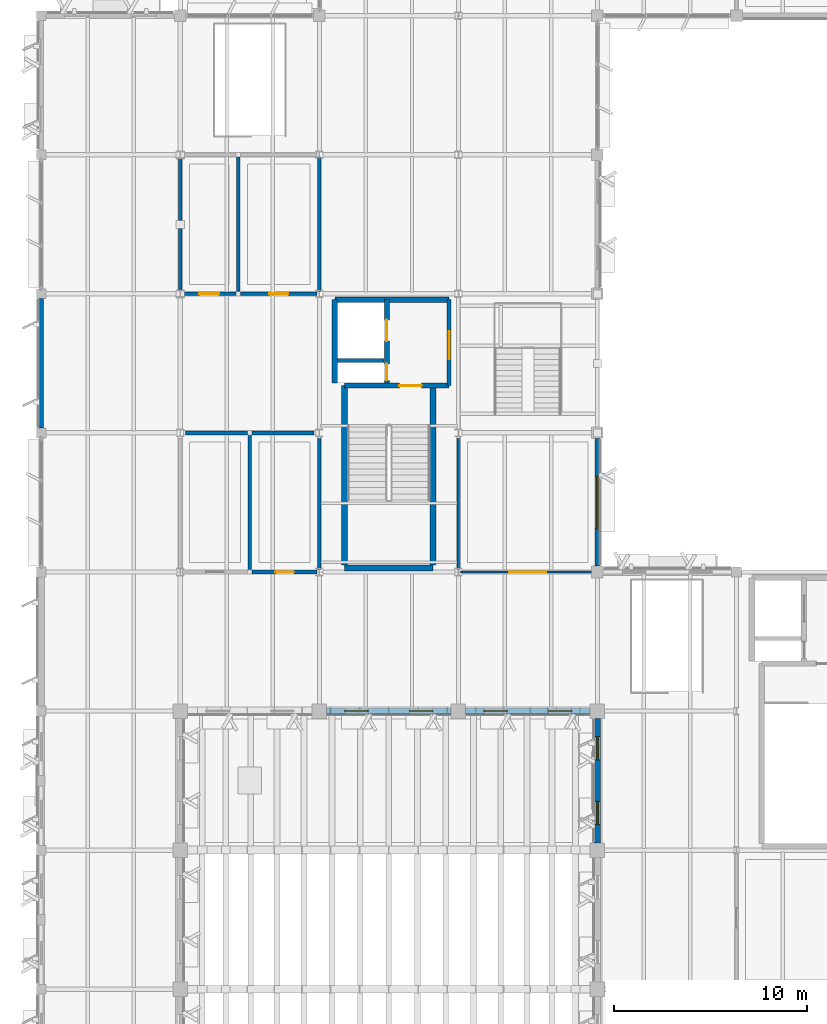
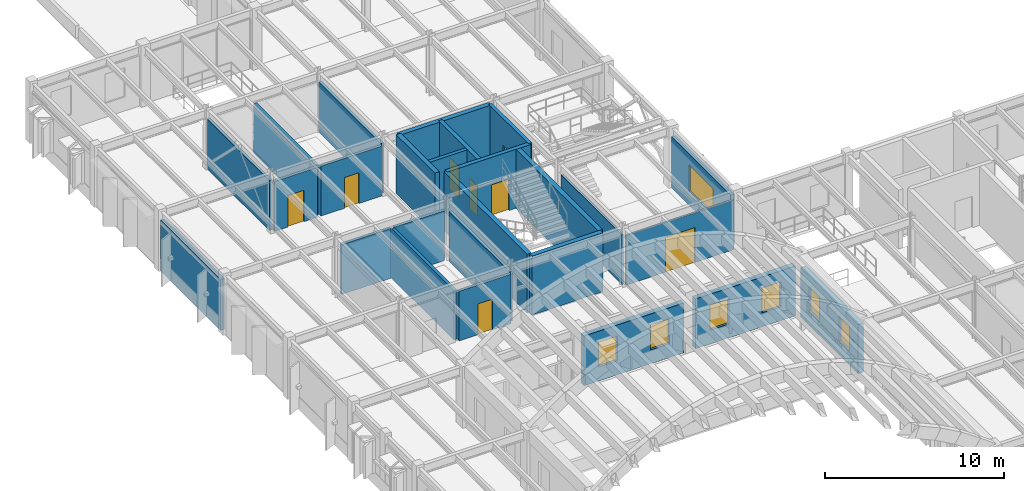
# One storey, part 33 of 85: 26 walls, 8 doors, 7 windows, 15 openings.
"""IFC4 building model written with IfcOpenShell, lengths in metres."""

import ifcopenshell
import ifcopenshell.guid

model = None  # the IFC model being written
_history = None  # IfcOwnerHistory: only IFC2X3 demands one
_inside = {}  # id of a spatial element -> (the spatial element, [elements in it])
_under = {}  # id of a project, library or spatial element -> (it, [spatial elements below it])
_declared = {}  # id of a project -> (the project, [libraries it declares])
_typed = {}  # id of a type object -> (the type object, [elements of that type])
_made_of = {}  # id of a material, layer set ... -> (it, [elements and type objects made of it])


def new_model(schema):
    """Start an empty IFC model of exactly this schema.

    Asked for "IFC4X3", IfcOpenShell would pick the latest addendum, in which some entities
    have other attributes; the version numbers below select the first issue.
    IFC2X3 requires an IfcOwnerHistory on every rooted entity: one is made here for all.
    """
    global model, _history
    if schema == "IFC4X3":
        model = ifcopenshell.file(schema_version=(4, 3, 0, 0))
    else:
        model = ifcopenshell.file(schema=schema)
    _inside.clear()
    _under.clear()
    _declared.clear()
    _typed.clear()
    _made_of.clear()
    _history = None
    if model.schema == "IFC2X3":
        org = make("IfcOrganization", Name="unknown")
        user = make(
            "IfcPersonAndOrganization",
            ThePerson=make("IfcPerson", FamilyName="unknown"),
            TheOrganization=org,
        )
        app = make(
            "IfcApplication",
            ApplicationDeveloper=org,
            Version="unknown",
            ApplicationFullName="unknown",
            ApplicationIdentifier="unknown",
        )
        _history = make(
            "IfcOwnerHistory",
            OwningUser=user,
            OwningApplication=app,
            ChangeAction="ADDED",
            CreationDate=0,
        )
    return model


def make(cls, **values):
    """One entity of the class cls with the attributes given. An attribute that is None is left unset."""
    return model.create_entity(
        cls, **{name: value for name, value in values.items() if value is not None}
    )


def rooted(cls, **values):
    """An entity with a GlobalId (a new one), such as an element, a storey or a relation."""
    return make(cls, GlobalId=ifcopenshell.guid.new(), OwnerHistory=_history, **values)


def si_unit(unit_type, name, prefix=None):
    """IfcSIUnit, for example si_unit("LENGTHUNIT", "METRE", prefix="MILLI")."""
    return make("IfcSIUnit", UnitType=unit_type, Prefix=prefix, Name=name)


def assignment(units):
    """IfcUnitAssignment: the units of a project."""
    return None if units is None else make("IfcUnitAssignment", Units=units)


def point(xyz):
    """IfcCartesianPoint."""
    return None if xyz is None else make("IfcCartesianPoint", Coordinates=xyz)


def direction(xyz):
    """IfcDirection."""
    return None if xyz is None else make("IfcDirection", DirectionRatios=xyz)


def frame(location, z_axis=None, x_axis=None):
    """IfcAxis2Placement3D, a coordinate frame: its origin and axes. An axis left out is left unset."""
    return make(
        "IfcAxis2Placement3D",
        Location=point(location),
        Axis=direction(z_axis),
        RefDirection=direction(x_axis),
    )


def frame_2d(location, x_axis=None):
    """IfcAxis2Placement2D, a coordinate frame in the plane: its origin and x axis."""
    return make(
        "IfcAxis2Placement2D", Location=point(location), RefDirection=direction(x_axis)
    )


def origin():
    """The frame at (0, 0, 0) with its axes left unset."""
    return frame((0.0, 0.0, 0.0))


def place(relative_to, where):
    """IfcLocalPlacement: puts the frame where relative to a parent placement (None: the world)."""
    return make(
        "IfcLocalPlacement", PlacementRelTo=relative_to, RelativePlacement=where
    )


def context(
    kind, dimensions, precision=None, world=None, true_north=None, identifier=None
):
    """IfcGeometricRepresentationContext, for example the 3D "Model" context."""
    return make(
        "IfcGeometricRepresentationContext",
        ContextIdentifier=identifier,
        ContextType=kind,
        CoordinateSpaceDimension=dimensions,
        Precision=precision,
        WorldCoordinateSystem=world,
        TrueNorth=true_north,
    )


def subcontext(parent, identifier, kind, view, scale=None):
    """IfcGeometricRepresentationSubContext, for example "Body" below "Model"."""
    return make(
        "IfcGeometricRepresentationSubContext",
        ContextIdentifier=identifier,
        ContextType=kind,
        ParentContext=parent,
        TargetScale=scale,
        TargetView=view,
    )


def project(units=None, contexts=None):
    """IfcProject with its units and contexts."""
    return rooted(
        "IfcProject",
        Name="project",
        RepresentationContexts=contexts,
        UnitsInContext=assignment(units),
    )


def spatial(cls, under=None, at=None, **own):
    """A site, building, storey or space (cls), placed at a placement, below another one or the project."""
    s = rooted(cls, ObjectPlacement=at, **own)
    if under is not None:
        _under.setdefault(under.id(), (under, []))[1].append(s)
    return s


def profile(cls, at=None, kind="AREA", **sizes):
    """A parametric profile (cls). Its sizes go by their IFC names, for example OverallWidth=200.0."""
    return make(cls, ProfileType=kind, Position=at, **sizes)


def rectangle(**sizes):
    """IfcRectangleProfileDef."""
    return profile("IfcRectangleProfileDef", **sizes)


def extrude(swept, where, along, depth):
    """IfcExtrudedAreaSolid: the profile swept, set in the frame where, extruded along a direction by depth."""
    return make(
        "IfcExtrudedAreaSolid",
        SweptArea=swept,
        Position=where,
        ExtrudedDirection=direction(along),
        Depth=depth,
    )


def shape(context_of_items, identifier, shape_type, items):
    """IfcShapeRepresentation: the items that make up one representation, for example the "Body"."""
    return make(
        "IfcShapeRepresentation",
        ContextOfItems=context_of_items,
        RepresentationIdentifier=identifier,
        RepresentationType=shape_type,
        Items=items,
    )


def material(Name=None, Category=None):
    """IfcMaterial."""
    return make("IfcMaterial", Name=Name, Category=Category)


def layer(
    of_material, thickness, ventilated=None, Name=None, Category=None, Priority=None
):
    """IfcMaterialLayer: one layer of a wall or slab, of a material (None: an air gap)."""
    return make(
        "IfcMaterialLayer",
        Material=of_material,
        LayerThickness=thickness,
        IsVentilated=ventilated,
        Name=Name,
        Category=Category,
        Priority=Priority,
    )


def layer_set(layers, Name=None):
    """IfcMaterialLayerSet."""
    return make("IfcMaterialLayerSet", MaterialLayers=layers, LayerSetName=Name)


def made_of(thing, what):
    """Note that an element or type object is made of a material, layer set ...; save() writes the relation."""
    if what is not None:
        _made_of.setdefault(what.id(), (what, []))[1].append(thing)
    return thing


def type_object(cls, material=None, **own):
    """A type object (cls), such as IfcWallType, which elements share."""
    return made_of(rooted(cls, **own), material)


def element(
    cls,
    number,
    at=None,
    inside=None,
    cuts=None,
    type_object=None,
    material=None,
    context=None,
    identifier="Body",
    shape_type=None,
    held_by="IfcProductDefinitionShape",
    body=None,
    shapes=None,
    **own,
):
    """One element of the class cls, such as IfcWall. Its Tag is "e" and its number.

    at: its placement. inside: the storey or other place that contains it. cuts: it is an
    opening in that element (IfcRelVoidsElement). A single representation is given by context,
    identifier, shape_type and body (its items); several are given by shapes. held_by: the class
    of the entity that holds the representations. save() writes the other relations.
    """
    e = rooted(cls, Tag="e%d" % number, ObjectPlacement=at, **own)
    if body is not None:
        shapes = [shape(context, identifier, shape_type, body)]
    if shapes is not None:
        e.Representation = make(held_by, Representations=shapes)
    if inside is not None:
        _inside.setdefault(inside.id(), (inside, []))[1].append(e)
    if cuts is not None:
        rooted(
            "IfcRelVoidsElement", RelatingBuildingElement=cuts, RelatedOpeningElement=e
        )
    if type_object is not None:
        _typed.setdefault(type_object.id(), (type_object, []))[1].append(e)
    return made_of(e, material)


def fill(opening, filler):
    """IfcRelFillsElement: the door or window that sits in an opening."""
    return rooted(
        "IfcRelFillsElement",
        RelatingOpeningElement=opening,
        RelatedBuildingElement=filler,
    )


def aggregate(whole, parts):
    """IfcRelAggregates: a whole, such as a stair, and the parts it consists of."""
    return rooted("IfcRelAggregates", RelatingObject=whole, RelatedObjects=parts)


def save(model, path):
    """Write the relations noted so far, then the file.

    IfcRelAggregates (storeys below a building ...), IfcRelContainedInSpatialStructure (elements
    in a storey), IfcRelDefinesByType, IfcRelAssociatesMaterial and IfcRelDeclares: one each for
    every whole, place, type object, material and project.
    """
    for whole, parts in _under.values():
        aggregate(whole, parts)
    for where, things in _inside.values():
        rooted(
            "IfcRelContainedInSpatialStructure",
            RelatedElements=things,
            RelatingStructure=where,
        )
    for kind, things in _typed.values():
        rooted("IfcRelDefinesByType", RelatedObjects=things, RelatingType=kind)
    for what, things in _made_of.values():
        rooted("IfcRelAssociatesMaterial", RelatedObjects=things, RelatingMaterial=what)
    for by, libraries in _declared.values():
        rooted("IfcRelDeclares", RelatingContext=by, RelatedDefinitions=libraries)
    model.write(path)


model = new_model("IFC4")

# Units and contexts
model_context = context("Model", 3, precision=1e-05, world=origin(), true_north=direction((0.0, 1.0)))
body_context = subcontext(model_context, "Body", "Model", "MODEL_VIEW")
ifc_project = project(units=[si_unit("LENGTHUNIT", "METRE"), si_unit("AREAUNIT", "SQUARE_METRE"), si_unit("VOLUMEUNIT", "CUBIC_METRE"), si_unit("PLANEANGLEUNIT", "RADIAN"), si_unit("MASSUNIT", "GRAM", prefix="KILO")], contexts=[model_context])

# Site, building, storey
site_placement = place(None, origin())
site = spatial("IfcSite", under=ifc_project, at=site_placement, CompositionType="ELEMENT")
building_placement = place(site_placement, origin())
building = spatial("IfcBuilding", under=site, at=building_placement, Name="Sillqori Civic Hall", CompositionType="ELEMENT")
storey_placement = place(building_placement, frame((0.0, 0.0, 9.89990234375)))
storey = spatial("IfcBuildingStorey", under=building, at=storey_placement, Name="L03", CompositionType="ELEMENT", Elevation=9.89990234375)

# Wall
ifc_material_1 = material(Name="Concrete C35/45 (H35)", Category="concrete")
ifc_layer_1 = layer(ifc_material_1, 0.219970703125)
ifc_layer_set_1 = layer_set([ifc_layer_1], Name="Concrete C35/45 (H35)")
wall_type_1 = type_object("IfcWallType", Name="CW-SHR-220", PredefinedType="SHEAR", material=ifc_layer_set_1)
wall_1_placement = place(storey_placement, frame((22.550048828125, 61.35009765625, 0.0), z_axis=(0.0, 0.0, 1.0), x_axis=(1.0, 0.0, 0.0)))
element("IfcWall", 1, at=wall_1_placement, inside=storey, type_object=wall_type_1, Name="L03 C4 Lift-riser divider wall", PredefinedType="SHEAR", context=body_context, shape_type="SweptSolid", body=[
    extrude(rectangle(XDim=2.39990234375, YDim=0.219970703125, at=frame_2d((1.199951171875, 0.0))), origin(), (0.0, 0.0, 1.0), 4.02001953125),
])

# Wall, opening, door
wall_2_placement = place(storey_placement, frame((28.320068359375, 64.5, 0.0), z_axis=(0.0, 0.0, 1.0), x_axis=(0.0, -1.0, 0.0)))
wall_2 = element("IfcWall", 2, at=wall_2_placement, inside=storey, type_object=wall_type_1, Name="L03 C4 firefighting lobby enclosure wall", PredefinedType="SHEAR", context=body_context, shape_type="SweptSolid", body=[
    extrude(rectangle(XDim=4.449951171875, YDim=0.219970703125, at=frame_2d((2.22509765625, 0.0))), origin(), (0.0, 0.0, 1.0), 4.02001953125),
])
opening_1_placement = place(wall_2_placement, frame((1.625, 0.0, 0.0)))
opening_1 = element("IfcOpeningElement", 3, at=opening_1_placement, cuts=wall_2, Name="Opening FD-03", PredefinedType="OPENING", context=body_context, shape_type="SweptSolid", body=[
    extrude(rectangle(XDim=1.449951171875, YDim=2.199951171875, at=frame_2d((0.72509765625, 1.10009765625))), frame((0.0, 0.119873046875, 0.0), z_axis=(0.0, -1.0, 0.0), x_axis=(1.0, 0.0, 0.0)), (0.0, 0.0, 1.0), 0.239990234375),
])
ifc_material_2 = material(Name="Double-Leaf Smoke-Seal Lobby Door", Category="steel")
door_type_1 = type_object("IfcDoorType", Name="FDR-LOB-145X220", OperationType="NOTDEFINED", PredefinedType="DOOR", material=ifc_material_2)
door_1_placement = place(opening_1_placement, origin())
door_1 = element("IfcDoor", 4, at=door_1_placement, inside=storey, type_object=door_type_1, Name="L03 C4 firefighting lobby exit door", OperationType="DOUBLE_DOOR_SINGLE_SWING", OverallHeight=2.199951171875, OverallWidth=1.449951171875, PredefinedType="DOOR", context=body_context, shape_type="SweptSolid", body=[
    extrude(rectangle(XDim=1.449951171875, YDim=2.199951171875, at=frame_2d((0.72509765625, 1.10009765625))), frame((0.0, 0.02490234375, 0.0), z_axis=(0.0, -1.0, 0.0), x_axis=(1.0, 0.0, 0.0)), (0.0, 0.0, 1.0), 0.050048828125),
])
fill(opening_1, door_1)

ifc_layer_2 = layer(ifc_material_1, 0.260009765625)
ifc_layer_set_2 = layer_set([ifc_layer_2], Name="Concrete C35/45 (H35)")
wall_type_2 = type_object("IfcWallType", Name="CW-SHR-260", PredefinedType="SHEAR", material=ifc_layer_set_2)
wall_3_placement = place(storey_placement, frame((22.909912109375, 60.050048828125, 0.0), z_axis=(0.0, 0.0, 1.0), x_axis=(1.0, 0.0, 0.0)))
wall_3 = element("IfcWall", 5, at=wall_3_placement, inside=storey, type_object=wall_type_2, Name="L03 C4 Stair-lobby fire wall", PredefinedType="SHEAR", context=body_context, shape_type="SweptSolid", body=[
    extrude(rectangle(XDim=5.41015625, YDim=0.260009765625, at=frame_2d((2.705078125, 0.0))), origin(), (0.0, 0.0, 1.0), 4.02001953125),
])
opening_2_placement = place(wall_3_placement, frame((2.840087890625, 0.0, 0.0)))
opening_2 = element("IfcOpeningElement", 6, at=opening_2_placement, cuts=wall_3, Name="Opening FD-01", PredefinedType="OPENING", context=body_context, shape_type="SweptSolid", body=[
    extrude(rectangle(XDim=1.14990234375, YDim=2.14990234375, at=frame_2d((0.574951171875, 1.074951171875))), frame((0.0, 0.139892578125, 0.0), z_axis=(0.0, -1.0, 0.0), x_axis=(1.0, 0.0, 0.0)), (0.0, 0.0, 1.0), 0.280029296875),
])
ifc_material_3 = material(Name="Galvanized Steel Fire Door FD90S", Category="steel")
door_type_2 = type_object("IfcDoorType", Name="FDR-STR-115X215", OperationType="NOTDEFINED", PredefinedType="DOOR", material=ifc_material_3)
door_2_placement = place(opening_2_placement, origin())
door_2 = element("IfcDoor", 7, at=door_2_placement, inside=storey, type_object=door_type_2, Name="L03 stair ST-04 fire door", OperationType="SINGLE_SWING_RIGHT", OverallHeight=2.14990234375, OverallWidth=1.14990234375, PredefinedType="DOOR", context=body_context, shape_type="SweptSolid", body=[
    extrude(rectangle(XDim=1.14990234375, YDim=2.14990234375, at=frame_2d((0.574951171875, 1.074951171875))), frame((0.0, 0.02490234375, 0.0), z_axis=(0.0, -1.0, 0.0), x_axis=(1.0, 0.0, 0.0)), (0.0, 0.0, 1.0), 0.050048828125),
])
fill(opening_2, door_2)

# Wall, openings, doors
wall_4_placement = place(storey_placement, frame((25.10009765625, 64.5, 0.0), z_axis=(0.0, 0.0, 1.0), x_axis=(0.0, -1.0, 0.0)))
wall_4 = element("IfcWall", 8, at=wall_4_placement, inside=storey, type_object=wall_type_2, Name="L03 C4 Lift landing & riser front wall", PredefinedType="SHEAR", context=body_context, shape_type="SweptSolid", body=[
    extrude(rectangle(XDim=4.320068359375, YDim=0.260009765625, at=frame_2d((2.16015625, 0.0))), origin(), (0.0, 0.0, 1.0), 4.02001953125),
])
opening_3_placement = place(wall_4_placement, frame((1.050048828125, 0.0, 0.0)))
opening_3 = element("IfcOpeningElement", 9, at=opening_3_placement, cuts=wall_4, Name="Opening LD-01", PredefinedType="OPENING", context=body_context, shape_type="SweptSolid", body=[
    extrude(rectangle(XDim=1.10009765625, YDim=2.14990234375, at=frame_2d((0.550048828125, 1.074951171875))), frame((0.0, 0.139892578125, 0.0), z_axis=(0.0, -1.0, 0.0), x_axis=(1.0, 0.0, 0.0)), (0.0, 0.0, 1.0), 0.280029296875),
])
opening_4_placement = place(wall_4_placement, frame((3.324951171875, 0.0, 0.0)))
opening_4 = element("IfcOpeningElement", 10, at=opening_4_placement, cuts=wall_4, Name="Opening FD-05", PredefinedType="OPENING", context=body_context, shape_type="SweptSolid", body=[
    extrude(rectangle(XDim=0.85009765625, YDim=2.050048828125, at=frame_2d((0.425048828125, 1.02490234375))), frame((0.0, 0.139892578125, 0.0), z_axis=(0.0, -1.0, 0.0), x_axis=(1.0, 0.0, 0.0)), (0.0, 0.0, 1.0), 0.280029296875),
])
ifc_material_4 = material(Name="Steel Riser Access Fire Door", Category="steel")
door_type_3 = type_object("IfcDoorType", Name="FDR-RSR-085X205", OperationType="NOTDEFINED", PredefinedType="DOOR", material=ifc_material_4)
door_3_placement = place(opening_4_placement, origin())
door_3 = element("IfcDoor", 11, at=door_3_placement, inside=storey, type_object=door_type_3, Name="L03 MEP riser C4 fire access door", OperationType="SINGLE_SWING_LEFT", OverallHeight=2.050048828125, OverallWidth=0.85009765625, PredefinedType="DOOR", context=body_context, shape_type="SweptSolid", body=[
    extrude(rectangle(XDim=0.85009765625, YDim=2.050048828125, at=frame_2d((0.425048828125, 1.02490234375))), frame((0.0, 0.02490234375, 0.0), z_axis=(0.0, -1.0, 0.0), x_axis=(1.0, 0.0, 0.0)), (0.0, 0.0, 1.0), 0.050048828125),
])
fill(opening_4, door_3)
ifc_material_5 = material(Name="Stainless Steel Lift Landing Door", Category="steel")
door_type_4 = type_object("IfcDoorType", Name="LDR-PASS-110X215", OperationType="NOTDEFINED", PredefinedType="DOOR", material=ifc_material_5)
door_4_placement = place(opening_3_placement, origin())
door_4 = element("IfcDoor", 12, at=door_4_placement, inside=storey, type_object=door_type_4, Name="L03 lift LF-06 sliding landing door", OperationType="DOUBLE_DOOR_SLIDING", OverallHeight=2.14990234375, OverallWidth=1.10009765625, PredefinedType="DOOR", context=body_context, shape_type="SweptSolid", body=[
    extrude(rectangle(XDim=1.10009765625, YDim=2.14990234375, at=frame_2d((0.550048828125, 1.074951171875))), frame((0.0, 0.02490234375, 0.0), z_axis=(0.0, -1.0, 0.0), x_axis=(1.0, 0.0, 0.0)), (0.0, 0.0, 1.0), 0.050048828125),
])
fill(opening_3, door_4)

# Walls
ifc_layer_3 = layer(ifc_material_1, 0.300048828125)
ifc_layer_set_3 = layer_set([ifc_layer_3], Name="Concrete C35/45 (H35)")
wall_type_3 = type_object("IfcWallType", Name="CW-SHR-300", PredefinedType="SHEAR", material=ifc_layer_set_3)
wall_5_placement = place(storey_placement, frame((22.909912109375, 50.60009765625, 0.0), z_axis=(0.0, 0.0, 1.0), x_axis=(1.0, 0.0, 0.0)))
element("IfcWall", 13, at=wall_5_placement, inside=storey, type_object=wall_type_3, Name="L03 C4 Stair south shear wall", PredefinedType="SHEAR", context=body_context, shape_type="SweptSolid", body=[
    extrude(rectangle(XDim=4.580078125, YDim=0.300048828125, at=frame_2d((2.2900390625, 0.0))), origin(), (0.0, 0.0, 1.0), 4.02001953125),
])
for number, where, z_axis, x_axis, name in (
    (14, (22.909912109375, 50.75, 0.0), (0.0, 0.0, 1.0), (0.0, 1.0, 0.0), "L03 C4 Stair west shear wall"),
    (15, (27.489990234375, 50.75, 0.0), (0.0, 0.0, 1.0), (0.0, 1.0, 0.0), "L03 C4 Stair east shear wall"),
):
    element("IfcWall", number, at=place(storey_placement, frame(where, z_axis=z_axis, x_axis=x_axis)), inside=storey, type_object=wall_type_3, Name=name, PredefinedType="SHEAR", context=body_context, shape_type="SweptSolid", body=[
        extrude(rectangle(XDim=9.300048828125, YDim=0.300048828125, at=frame_2d((4.64990234375, 0.0))), origin(), (0.0, 0.0, 1.0), 4.02001953125),
    ])
wall_6_placement = place(storey_placement, frame((22.39990234375, 60.179931640625, 0.0), z_axis=(0.0, 0.0, 1.0), x_axis=(0.0, 1.0, 0.0)))
element("IfcWall", 16, at=wall_6_placement, inside=storey, type_object=wall_type_3, Name="L03 C4 Lift shaft west shear wall", PredefinedType="SHEAR", context=body_context, shape_type="SweptSolid", body=[
    extrude(rectangle(XDim=4.320068359375, YDim=0.300048828125, at=frame_2d((2.16015625, 0.0))), origin(), (0.0, 0.0, 1.0), 4.02001953125),
])
wall_7_placement = place(storey_placement, frame((22.39990234375, 64.5, 0.0), z_axis=(0.0, 0.0, 1.0), x_axis=(1.0, 0.0, 0.0)))
element("IfcWall", 17, at=wall_7_placement, inside=storey, type_object=wall_type_3, Name="L03 C4 Core north shear wall", PredefinedType="SHEAR", context=body_context, shape_type="SweptSolid", body=[
    extrude(rectangle(XDim=5.920166015625, YDim=0.300048828125, at=frame_2d((2.9599609375, 0.0))), origin(), (0.0, 0.0, 1.0), 4.02001953125),
])

# Wall, openings, windows
ifc_material_6 = material(Name="Precast concrete C40/50 (H40)", Category="concrete")
ifc_layer_4 = layer(ifc_material_6, 0.340087890625)
ifc_layer_set_4 = layer_set([ifc_layer_4], Name="Precast concrete C40/50 (H40)")
wall_type_4 = type_object("IfcWallType", Name="EW-ARC-340", PredefinedType="SOLIDWALL", material=ifc_layer_set_4)
wall_8_placement = place(storey_placement, frame((28.425048828125, 43.199951171875, 0.0), z_axis=(0.0, 0.0, 1.0), x_axis=(-1.0, 0.0, 0.0)))
wall_8 = element("IfcWall", 18, at=wall_8_placement, inside=storey, type_object=wall_type_4, Name="L03 V1 exterior wall L03-03-06-S", PredefinedType="SOLIDWALL", context=body_context, shape_type="SweptSolid", body=[
    extrude(rectangle(XDim=6.449951171875, YDim=0.340087890625, at=frame_2d((3.22509765625, 0.0))), origin(), (0.0, 0.0, 1.0), 3.398193359375),
])
opening_5_placement = place(wall_8_placement, frame((0.947998046875, 0.0, 0.949951171875)))
opening_5 = element("IfcOpeningElement", 19, at=opening_5_placement, cuts=wall_8, Name="Opening W-22", PredefinedType="OPENING", context=body_context, shape_type="SweptSolid", body=[
    extrude(rectangle(XDim=1.199951171875, YDim=1.699951171875, at=frame_2d((0.60009765625, 0.85009765625))), frame((0.0, 0.179931640625, 0.0), z_axis=(0.0, -1.0, 0.0), x_axis=(1.0, 0.0, 0.0)), (0.0, 0.0, 1.0), 0.360107421875),
])
opening_6_placement = place(wall_8_placement, frame((4.302001953125, 0.0, 0.949951171875)))
opening_6 = element("IfcOpeningElement", 20, at=opening_6_placement, cuts=wall_8, Name="Opening W-22", PredefinedType="OPENING", context=body_context, shape_type="SweptSolid", body=[
    extrude(rectangle(XDim=1.199951171875, YDim=1.699951171875, at=frame_2d((0.60009765625, 0.85009765625))), frame((0.0, 0.179931640625, 0.0), z_axis=(0.0, -1.0, 0.0), x_axis=(1.0, 0.0, 0.0)), (0.0, 0.0, 1.0), 0.360107421875),
])
ifc_material_7 = material(Name="Thermally Broken Aluminium Low-E Window", Category="aluminium")
window_type_1 = type_object("IfcWindowType", Name="WIN-V5-120X170", PartitioningType="SINGLE_PANEL", PredefinedType="WINDOW", material=ifc_material_7)
window_1_placement = place(opening_5_placement, origin())
window_1 = element("IfcWindow", 21, at=window_1_placement, inside=storey, type_object=window_type_1, Name="L03 V1 window L03-03-06-S.1", OverallHeight=1.699951171875, OverallWidth=1.199951171875, PartitioningType="SINGLE_PANEL", PredefinedType="WINDOW", context=body_context, shape_type="SweptSolid", body=[
    extrude(rectangle(XDim=1.199951171875, YDim=1.699951171875, at=frame_2d((0.60009765625, 0.85009765625))), frame((0.0, 0.030029296875, 0.0), z_axis=(0.0, -1.0, 0.0), x_axis=(1.0, 0.0, 0.0)), (0.0, 0.0, 1.0), 0.06005859375),
])
fill(opening_5, window_1)
window_2_placement = place(opening_6_placement, origin())
window_2 = element("IfcWindow", 22, at=window_2_placement, inside=storey, type_object=window_type_1, Name="L03 V1 window L03-03-06-S.2", OverallHeight=1.699951171875, OverallWidth=1.199951171875, PartitioningType="SINGLE_PANEL", PredefinedType="WINDOW", context=body_context, shape_type="SweptSolid", body=[
    extrude(rectangle(XDim=1.199951171875, YDim=1.699951171875, at=frame_2d((0.60009765625, 0.85009765625))), frame((0.0, 0.030029296875, 0.0), z_axis=(0.0, -1.0, 0.0), x_axis=(1.0, 0.0, 0.0)), (0.0, 0.0, 1.0), 0.06005859375),
])
fill(opening_6, window_2)

wall_9_placement = place(storey_placement, frame((35.625, 43.199951171875, 0.0), z_axis=(0.0, 0.0, 1.0), x_axis=(-1.0, 0.0, 0.0)))
wall_9 = element("IfcWall", 23, at=wall_9_placement, inside=storey, type_object=wall_type_4, Name="L03 V1 exterior wall L03-04-06-S", PredefinedType="SOLIDWALL", context=body_context, shape_type="SweptSolid", body=[
    extrude(rectangle(XDim=6.449951171875, YDim=0.340087890625, at=frame_2d((3.22509765625, 0.0))), origin(), (0.0, 0.0, 1.0), 3.398193359375),
])
opening_7_placement = place(wall_9_placement, frame((0.947998046875, 0.0, 0.949951171875)))
opening_7 = element("IfcOpeningElement", 24, at=opening_7_placement, cuts=wall_9, Name="Opening W-22", PredefinedType="OPENING", context=body_context, shape_type="SweptSolid", body=[
    extrude(rectangle(XDim=1.199951171875, YDim=1.699951171875, at=frame_2d((0.60009765625, 0.85009765625))), frame((0.0, 0.179931640625, 0.0), z_axis=(0.0, -1.0, 0.0), x_axis=(1.0, 0.0, 0.0)), (0.0, 0.0, 1.0), 0.360107421875),
])
opening_8_placement = place(wall_9_placement, frame((4.302001953125, 0.0, 0.949951171875)))
opening_8 = element("IfcOpeningElement", 25, at=opening_8_placement, cuts=wall_9, Name="Opening W-22", PredefinedType="OPENING", context=body_context, shape_type="SweptSolid", body=[
    extrude(rectangle(XDim=1.199951171875, YDim=1.699951171875, at=frame_2d((0.60009765625, 0.85009765625))), frame((0.0, 0.179931640625, 0.0), z_axis=(0.0, -1.0, 0.0), x_axis=(1.0, 0.0, 0.0)), (0.0, 0.0, 1.0), 0.360107421875),
])
window_3_placement = place(opening_7_placement, origin())
window_3 = element("IfcWindow", 26, at=window_3_placement, inside=storey, type_object=window_type_1, Name="L03 V1 window L03-04-06-S.1", OverallHeight=1.699951171875, OverallWidth=1.199951171875, PartitioningType="SINGLE_PANEL", PredefinedType="WINDOW", context=body_context, shape_type="SweptSolid", body=[
    extrude(rectangle(XDim=1.199951171875, YDim=1.699951171875, at=frame_2d((0.60009765625, 0.85009765625))), frame((0.0, 0.030029296875, 0.0), z_axis=(0.0, -1.0, 0.0), x_axis=(1.0, 0.0, 0.0)), (0.0, 0.0, 1.0), 0.06005859375),
])
fill(opening_7, window_3)
window_4_placement = place(opening_8_placement, origin())
window_4 = element("IfcWindow", 27, at=window_4_placement, inside=storey, type_object=window_type_1, Name="L03 V1 window L03-04-06-S.2", OverallHeight=1.699951171875, OverallWidth=1.199951171875, PartitioningType="SINGLE_PANEL", PredefinedType="WINDOW", context=body_context, shape_type="SweptSolid", body=[
    extrude(rectangle(XDim=1.199951171875, YDim=1.699951171875, at=frame_2d((0.60009765625, 0.85009765625))), frame((0.0, 0.030029296875, 0.0), z_axis=(0.0, -1.0, 0.0), x_axis=(1.0, 0.0, 0.0)), (0.0, 0.0, 1.0), 0.06005859375),
])
fill(opening_8, window_4)

wall_10_placement = place(storey_placement, frame((36.0, 36.375, 0.0), z_axis=(0.0, 0.0, 1.0), x_axis=(0.0, 1.0, 0.0)))
wall_10 = element("IfcWall", 28, at=wall_10_placement, inside=storey, type_object=wall_type_4, Name="L03 V1 exterior wall L03-05-05-W", PredefinedType="SOLIDWALL", context=body_context, shape_type="SweptSolid", body=[
    extrude(rectangle(XDim=6.449951171875, YDim=0.340087890625, at=frame_2d((3.22509765625, 0.0))), origin(), (0.0, 0.0, 1.0), 3.35009765625),
])
opening_9_placement = place(wall_10_placement, frame((0.947998046875, 0.0, 0.949951171875)))
opening_9 = element("IfcOpeningElement", 29, at=opening_9_placement, cuts=wall_10, Name="Opening W-22", PredefinedType="OPENING", context=body_context, shape_type="SweptSolid", body=[
    extrude(rectangle(XDim=1.199951171875, YDim=1.699951171875, at=frame_2d((0.60009765625, 0.85009765625))), frame((0.0, 0.179931640625, 0.0), z_axis=(0.0, -1.0, 0.0), x_axis=(1.0, 0.0, 0.0)), (0.0, 0.0, 1.0), 0.360107421875),
])
opening_10_placement = place(wall_10_placement, frame((4.302001953125, 0.0, 0.949951171875)))
opening_10 = element("IfcOpeningElement", 30, at=opening_10_placement, cuts=wall_10, Name="Opening W-22", PredefinedType="OPENING", context=body_context, shape_type="SweptSolid", body=[
    extrude(rectangle(XDim=1.199951171875, YDim=1.699951171875, at=frame_2d((0.60009765625, 0.85009765625))), frame((0.0, 0.179931640625, 0.0), z_axis=(0.0, -1.0, 0.0), x_axis=(1.0, 0.0, 0.0)), (0.0, 0.0, 1.0), 0.360107421875),
])
window_5_placement = place(opening_9_placement, origin())
window_5 = element("IfcWindow", 31, at=window_5_placement, inside=storey, type_object=window_type_1, Name="L03 V1 window L03-05-05-W.1", OverallHeight=1.699951171875, OverallWidth=1.199951171875, PartitioningType="SINGLE_PANEL", PredefinedType="WINDOW", context=body_context, shape_type="SweptSolid", body=[
    extrude(rectangle(XDim=1.199951171875, YDim=1.699951171875, at=frame_2d((0.60009765625, 0.85009765625))), frame((0.0, 0.030029296875, 0.0), z_axis=(0.0, -1.0, 0.0), x_axis=(1.0, 0.0, 0.0)), (0.0, 0.0, 1.0), 0.06005859375),
])
fill(opening_9, window_5)
window_6_placement = place(opening_10_placement, origin())
window_6 = element("IfcWindow", 32, at=window_6_placement, inside=storey, type_object=window_type_1, Name="L03 V1 window L03-05-05-W.2", OverallHeight=1.699951171875, OverallWidth=1.199951171875, PartitioningType="SINGLE_PANEL", PredefinedType="WINDOW", context=body_context, shape_type="SweptSolid", body=[
    extrude(rectangle(XDim=1.199951171875, YDim=1.699951171875, at=frame_2d((0.60009765625, 0.85009765625))), frame((0.0, 0.030029296875, 0.0), z_axis=(0.0, -1.0, 0.0), x_axis=(1.0, 0.0, 0.0)), (0.0, 0.0, 1.0), 0.06005859375),
])
fill(opening_10, window_6)

# Wall
ifc_material_8 = material(Name="Concrete C30/37 (H30)", Category="concrete")
ifc_layer_5 = layer(ifc_material_8, 0.260009765625)
ifc_layer_set_5 = layer_set([ifc_layer_5], Name="Concrete C30/37 (H30)")
wall_type_5 = type_object("IfcWallType", Name="EW-MAS-260", PredefinedType="SOLIDWALL", material=ifc_layer_set_5)
wall_11_placement = place(storey_placement, frame((7.199951171875, 57.85009765625, 0.0), z_axis=(0.0, 0.0, 1.0), x_axis=(0.0, 1.0, 0.0)))
element("IfcWall", 33, at=wall_11_placement, inside=storey, type_object=wall_type_5, Name="L03 V5 exterior wall L03-01-08-W", PredefinedType="SOLIDWALL", context=body_context, shape_type="SweptSolid", body=[
    extrude(rectangle(XDim=6.699951171875, YDim=0.260009765625, at=frame_2d((3.35009765625, 0.0))), origin(), (0.0, 0.0, 1.0), 3.487060546875),
])

# Wall, opening, window
wall_12_placement = place(storey_placement, frame((36.0, 57.300048828125, 0.0), z_axis=(0.0, 0.0, 1.0), x_axis=(0.0, -1.0, 0.0)))
wall_12 = element("IfcWall", 34, at=wall_12_placement, inside=storey, type_object=wall_type_5, Name="L03 V5 exterior wall L03-04-07-E", PredefinedType="SOLIDWALL", context=body_context, shape_type="SweptSolid", body=[
    extrude(rectangle(XDim=6.60009765625, YDim=0.260009765625, at=frame_2d((3.300048828125, 0.0))), origin(), (0.0, 0.0, 1.0), 3.487060546875),
])
opening_11_placement = place(wall_12_placement, frame((1.949951171875, 0.0, 0.949951171875)))
opening_11 = element("IfcOpeningElement", 35, at=opening_11_placement, cuts=wall_12, Name="Opening W-21", PredefinedType="OPENING", context=body_context, shape_type="SweptSolid", body=[
    extrude(rectangle(XDim=2.699951171875, YDim=1.800048828125, at=frame_2d((1.35009765625, 0.89990234375))), frame((0.0, 0.139892578125, 0.0), z_axis=(0.0, -1.0, 0.0), x_axis=(1.0, 0.0, 0.0)), (0.0, 0.0, 1.0), 0.280029296875),
])
window_type_2 = type_object("IfcWindowType", Name="WIN-V5-270X180", PartitioningType="SINGLE_PANEL", PredefinedType="WINDOW", material=ifc_material_7)
window_7_placement = place(opening_11_placement, origin())
window_7 = element("IfcWindow", 36, at=window_7_placement, inside=storey, type_object=window_type_2, Name="L03 V5 window L03-04-07-E.1", OverallHeight=1.800048828125, OverallWidth=2.699951171875, PartitioningType="SINGLE_PANEL", PredefinedType="WINDOW", context=body_context, shape_type="SweptSolid", body=[
    extrude(rectangle(XDim=2.699951171875, YDim=1.800048828125, at=frame_2d((1.35009765625, 0.89990234375))), frame((0.0, 0.030029296875, 0.0), z_axis=(0.0, -1.0, 0.0), x_axis=(1.0, 0.0, 0.0)), (0.0, 0.0, 1.0), 0.06005859375),
])
fill(opening_11, window_7)

# Wall, opening, door
ifc_material_9 = material(Name="Double-Board Acoustic Partition 128", Category="gypsum")
ifc_layer_6 = layer(ifc_material_9, 0.1279296875)
ifc_layer_set_6 = layer_set([ifc_layer_6], Name="Double-Board Acoustic Partition 128")
wall_type_6 = type_object("IfcWallType", Name="PT-GYP-128", PredefinedType="PARTITIONING", material=ifc_layer_set_6)
wall_13_placement = place(storey_placement, frame((35.8798828125, 50.39990234375, 0.0), z_axis=(0.0, 0.0, 1.0), x_axis=(-1.0, 0.0, 0.0)))
wall_13 = element("IfcWall", 37, at=wall_13_placement, inside=storey, type_object=wall_type_6, Name="Councillors Office Suite West partition S1", PredefinedType="PARTITIONING", context=body_context, shape_type="SweptSolid", body=[
    extrude(rectangle(XDim=6.9599609375, YDim=0.1279296875, at=frame_2d((3.47998046875, 0.0))), origin(), (0.0, 0.0, 1.0), 3.38818359375),
])
opening_12_placement = place(wall_13_placement, frame((2.52001953125, 0.0, 0.0)))
opening_12 = element("IfcOpeningElement", 38, at=opening_12_placement, cuts=wall_13, Name="Opening ID-42", PredefinedType="OPENING", context=body_context, shape_type="SweptSolid", body=[
    extrude(rectangle(XDim=1.919921875, YDim=2.3798828125, at=frame_2d((0.9599609375, 1.18994140625))), frame((0.0, 0.073974609375, 0.0), z_axis=(0.0, -1.0, 0.0), x_axis=(1.0, 0.0, 0.0)), (0.0, 0.0, 1.0), 0.14794921875),
])
ifc_material_10 = material(Name="Ceremonial Double Door 1920", Category="timber")
door_type_5 = type_object("IfcDoorType", Name="IDR-DIR-192X238", OperationType="NOTDEFINED", PredefinedType="DOOR", material=ifc_material_10)
door_5_placement = place(opening_12_placement, origin())
door_5 = element("IfcDoor", 39, at=door_5_placement, inside=storey, type_object=door_type_5, Name="Councillors Office Suite West entrance door", OperationType="DOUBLE_DOOR_SINGLE_SWING", OverallHeight=2.3798828125, OverallWidth=1.919921875, PredefinedType="DOOR", context=body_context, shape_type="SweptSolid", body=[
    extrude(rectangle(XDim=1.919921875, YDim=2.3798828125, at=frame_2d((0.9599609375, 1.18994140625))), frame((0.0, 0.02490234375, 0.0), z_axis=(0.0, -1.0, 0.0), x_axis=(1.0, 0.0, 0.0)), (0.0, 0.0, 1.0), 0.050048828125),
])
fill(opening_12, door_5)

# Walls
wall_14_placement = place(storey_placement, frame((28.800048828125, 50.52001953125, 0.0), z_axis=(0.0, 0.0, 1.0), x_axis=(0.0, 1.0, 0.0)))
element("IfcWall", 40, at=wall_14_placement, inside=storey, type_object=wall_type_6, Name="Councillors Office Suite West partition W3", PredefinedType="PARTITIONING", context=body_context, shape_type="SweptSolid", body=[
    extrude(rectangle(XDim=6.800048828125, YDim=0.1279296875, at=frame_2d((3.39990234375, 0.0))), origin(), (0.0, 0.0, 1.0), 3.38818359375),
])
ifc_material_11 = material(Name="Concrete C25/30 (H25)", Category="concrete")
ifc_layer_7 = layer(ifc_material_11, 0.18994140625)
ifc_layer_set_7 = layer_set([ifc_layer_7], Name="Concrete C25/30 (H25)")
wall_type_7 = type_object("IfcWallType", Name="PT-MAS-190", PredefinedType="PARTITIONING", material=ifc_layer_set_7)
wall_15_placement = place(storey_placement, frame((14.679931640625, 57.60009765625, 0.0), z_axis=(0.0, 0.0, 1.0), x_axis=(1.0, 0.0, 0.0)))
element("IfcWall", 41, at=wall_15_placement, inside=storey, type_object=wall_type_7, Name="L03 Public Male WC partition N2", PredefinedType="PARTITIONING", context=body_context, shape_type="SweptSolid", body=[
    extrude(rectangle(XDim=3.199951171875, YDim=0.18994140625, at=frame_2d((1.60009765625, 0.0))), origin(), (0.0, 0.0, 1.0), 3.408203125),
])
wall_16_placement = place(storey_placement, frame((18.0, 57.47998046875, 0.0), z_axis=(0.0, 0.0, 1.0), x_axis=(0.0, -1.0, 0.0)))
element("IfcWall", 42, at=wall_16_placement, inside=storey, type_object=wall_type_7, Name="L03 Public Male WC partition E4", PredefinedType="PARTITIONING", context=body_context, shape_type="SweptSolid", body=[
    extrude(rectangle(XDim=6.9599609375, YDim=0.18994140625, at=frame_2d((3.47998046875, 0.0))), origin(), (0.0, 0.0, 1.0), 3.38818359375),
])

# Wall, opening, door
wall_17_placement = place(storey_placement, frame((21.47998046875, 50.39990234375, 0.0), z_axis=(0.0, 0.0, 1.0), x_axis=(-1.0, 0.0, 0.0)))
wall_17 = element("IfcWall", 43, at=wall_17_placement, inside=storey, type_object=wall_type_7, Name="L03 Public Female WC partition S1", PredefinedType="PARTITIONING", context=body_context, shape_type="SweptSolid", body=[
    extrude(rectangle(XDim=3.35986328125, YDim=0.18994140625, at=frame_2d((1.679931640625, 0.0))), origin(), (0.0, 0.0, 1.0), 3.38818359375),
])
opening_13_placement = place(wall_17_placement, frame((1.199951171875, 0.0, 0.0)))
opening_13 = element("IfcOpeningElement", 44, at=opening_13_placement, cuts=wall_17, Name="Opening ID-20", PredefinedType="OPENING", context=body_context, shape_type="SweptSolid", body=[
    extrude(rectangle(XDim=0.9599609375, YDim=2.10009765625, at=frame_2d((0.47998046875, 1.050048828125))), frame((0.0, 0.10498046875, 0.0), z_axis=(0.0, -1.0, 0.0), x_axis=(1.0, 0.0, 0.0)), (0.0, 0.0, 1.0), 0.2099609375),
])
ifc_material_12 = material(Name="Moisture-Resistant Sanitary Door 960", Category="timber")
door_type_6 = type_object("IfcDoorType", Name="IDR-WC-096X210", OperationType="NOTDEFINED", PredefinedType="DOOR", material=ifc_material_12)
door_6_placement = place(opening_13_placement, origin())
door_6 = element("IfcDoor", 45, at=door_6_placement, inside=storey, type_object=door_type_6, Name="L03 Public Female WC entrance door", OperationType="SINGLE_SWING_RIGHT", OverallHeight=2.10009765625, OverallWidth=0.9599609375, PredefinedType="DOOR", context=body_context, shape_type="SweptSolid", body=[
    extrude(rectangle(XDim=0.9599609375, YDim=2.10009765625, at=frame_2d((0.47998046875, 1.050048828125))), frame((0.0, 0.02490234375, 0.0), z_axis=(0.0, -1.0, 0.0), x_axis=(1.0, 0.0, 0.0)), (0.0, 0.0, 1.0), 0.050048828125),
])
fill(opening_13, door_6)

# Walls
wall_18_placement = place(storey_placement, frame((18.1201171875, 57.60009765625, 0.0), z_axis=(0.0, 0.0, 1.0), x_axis=(1.0, 0.0, 0.0)))
element("IfcWall", 46, at=wall_18_placement, inside=storey, type_object=wall_type_7, Name="L03 Public Female WC partition N2", PredefinedType="PARTITIONING", context=body_context, shape_type="SweptSolid", body=[
    extrude(rectangle(XDim=3.199951171875, YDim=0.18994140625, at=frame_2d((1.60009765625, 0.0))), origin(), (0.0, 0.0, 1.0), 3.408203125),
])
wall_19_placement = place(storey_placement, frame((21.60009765625, 57.320068359375, 0.0), z_axis=(0.0, 0.0, 1.0), x_axis=(0.0, -1.0, 0.0)))
element("IfcWall", 47, at=wall_19_placement, inside=storey, type_object=wall_type_7, Name="L03 Public Female WC partition E4", PredefinedType="PARTITIONING", context=body_context, shape_type="SweptSolid", body=[
    extrude(rectangle(XDim=6.800048828125, YDim=0.18994140625, at=frame_2d((3.39990234375, 0.0))), origin(), (0.0, 0.0, 1.0), 3.38818359375),
])

# Wall, opening, door
wall_20_placement = place(storey_placement, frame((17.280029296875, 64.800048828125, 0.0), z_axis=(0.0, 0.0, 1.0), x_axis=(-1.0, 0.0, 0.0)))
wall_20 = element("IfcWall", 48, at=wall_20_placement, inside=storey, type_object=wall_type_7, Name="L03 Accessible WC partition S1", PredefinedType="PARTITIONING", context=body_context, shape_type="SweptSolid", body=[
    extrude(rectangle(XDim=2.760009765625, YDim=0.18994140625, at=frame_2d((1.3798828125, 0.0))), origin(), (0.0, 0.0, 1.0), 3.408203125),
])
opening_14_placement = place(wall_20_placement, frame((0.8701171875, 0.0, 0.0)))
opening_14 = element("IfcOpeningElement", 49, at=opening_14_placement, cuts=wall_20, Name="Opening ID-21", PredefinedType="OPENING", context=body_context, shape_type="SweptSolid", body=[
    extrude(rectangle(XDim=1.02001953125, YDim=2.14990234375, at=frame_2d((0.510009765625, 1.074951171875))), frame((0.0, 0.10498046875, 0.0), z_axis=(0.0, -1.0, 0.0), x_axis=(1.0, 0.0, 0.0)), (0.0, 0.0, 1.0), 0.2099609375),
])
ifc_material_13 = material(Name="Accessible WC Outward-Clear Door", Category="timber")
door_type_7 = type_object("IfcDoorType", Name="IDR-AWC-102X215", OperationType="NOTDEFINED", PredefinedType="DOOR", material=ifc_material_13)
door_7_placement = place(opening_14_placement, origin())
door_7 = element("IfcDoor", 50, at=door_7_placement, inside=storey, type_object=door_type_7, Name="L03 Accessible WC entrance door", OperationType="SINGLE_SWING_LEFT", OverallHeight=2.14990234375, OverallWidth=1.02001953125, PredefinedType="DOOR", context=body_context, shape_type="SweptSolid", body=[
    extrude(rectangle(XDim=1.02001953125, YDim=2.14990234375, at=frame_2d((0.510009765625, 1.074951171875))), frame((0.0, 0.02490234375, 0.0), z_axis=(0.0, -1.0, 0.0), x_axis=(1.0, 0.0, 0.0)), (0.0, 0.0, 1.0), 0.050048828125),
])
fill(opening_14, door_7)

# Walls
for number, where, z_axis, x_axis, name in (
    (51, (14.39990234375, 64.919921875, 0.0), (0.0, 0.0, 1.0), (0.0, 1.0, 0.0), "L03 Accessible WC partition W3"),
    (52, (17.39990234375, 71.8798828125, 0.0), (0.0, 0.0, 1.0), (0.0, -1.0, 0.0), "L03 Accessible WC partition E4"),
):
    element("IfcWall", number, at=place(storey_placement, frame(where, z_axis=z_axis, x_axis=x_axis)), inside=storey, type_object=wall_type_7, Name=name, PredefinedType="PARTITIONING", context=body_context, shape_type="SweptSolid", body=[
        extrude(rectangle(XDim=6.9599609375, YDim=0.18994140625, at=frame_2d((3.47998046875, 0.0))), origin(), (0.0, 0.0, 1.0), 3.408203125),
    ])

# Wall, opening, door
wall_21_placement = place(storey_placement, frame((21.47998046875, 64.800048828125, 0.0), z_axis=(0.0, 0.0, 1.0), x_axis=(-1.0, 0.0, 0.0)))
wall_21 = element("IfcWall", 53, at=wall_21_placement, inside=storey, type_object=wall_type_7, Name="L03 Staff Sanitary and Cleaners Room partition S1", PredefinedType="PARTITIONING", context=body_context, shape_type="SweptSolid", body=[
    extrude(rectangle(XDim=3.9599609375, YDim=0.18994140625, at=frame_2d((1.97998046875, 0.0))), origin(), (0.0, 0.0, 1.0), 3.408203125),
])
opening_15_placement = place(wall_21_placement, frame((1.5, 0.0, 0.0)))
opening_15 = element("IfcOpeningElement", 54, at=opening_15_placement, cuts=wall_21, Name="Opening ID-20", PredefinedType="OPENING", context=body_context, shape_type="SweptSolid", body=[
    extrude(rectangle(XDim=0.9599609375, YDim=2.10009765625, at=frame_2d((0.47998046875, 1.050048828125))), frame((0.0, 0.10498046875, 0.0), z_axis=(0.0, -1.0, 0.0), x_axis=(1.0, 0.0, 0.0)), (0.0, 0.0, 1.0), 0.2099609375),
])
door_8_placement = place(opening_15_placement, origin())
door_8 = element("IfcDoor", 55, at=door_8_placement, inside=storey, type_object=door_type_6, Name="L03 Staff Sanitary and Cleaners Room entrance door", OperationType="SINGLE_SWING_RIGHT", OverallHeight=2.10009765625, OverallWidth=0.9599609375, PredefinedType="DOOR", context=body_context, shape_type="SweptSolid", body=[
    extrude(rectangle(XDim=0.9599609375, YDim=2.10009765625, at=frame_2d((0.47998046875, 1.050048828125))), frame((0.0, 0.02490234375, 0.0), z_axis=(0.0, -1.0, 0.0), x_axis=(1.0, 0.0, 0.0)), (0.0, 0.0, 1.0), 0.050048828125),
])
fill(opening_15, door_8)

# Wall
wall_22_placement = place(storey_placement, frame((21.60009765625, 71.8798828125, 0.0), z_axis=(0.0, 0.0, 1.0), x_axis=(0.0, -1.0, 0.0)))
element("IfcWall", 56, at=wall_22_placement, inside=storey, type_object=wall_type_7, Name="L03 Staff Sanitary and Cleaners Room partition E4", PredefinedType="PARTITIONING", context=body_context, shape_type="SweptSolid", body=[
    extrude(rectangle(XDim=6.9599609375, YDim=0.18994140625, at=frame_2d((3.47998046875, 0.0))), origin(), (0.0, 0.0, 1.0), 3.408203125),
])

save(model, "model.ifc")
